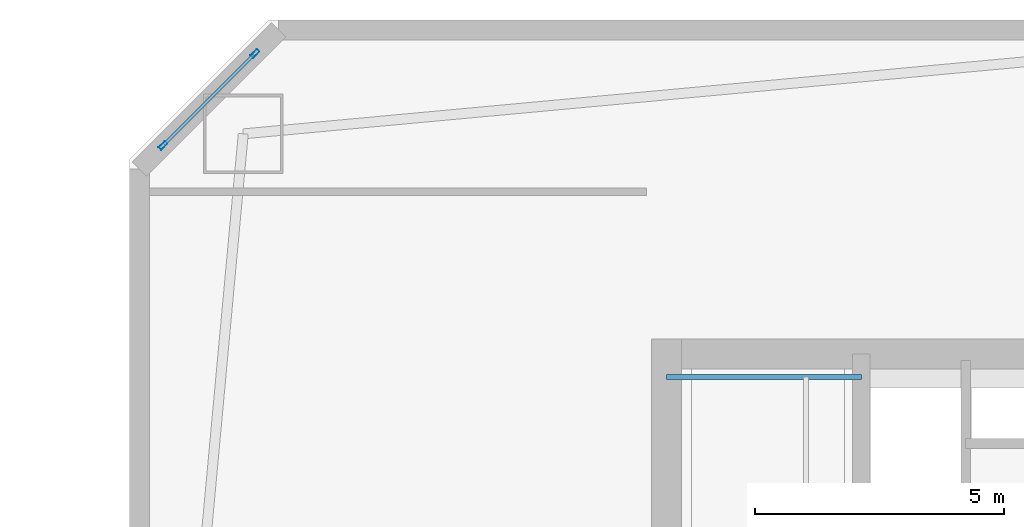
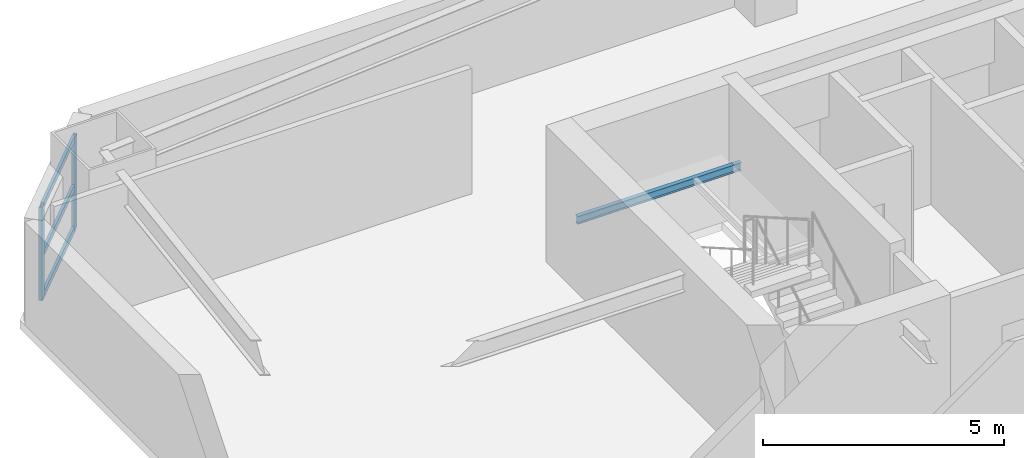
# One storey, part 6 of 22: 5 members, 1 beam, 1 element without a shape of its own.
"""IFC4 building model written with IfcOpenShell, lengths in metres."""

from ifc_helpers import new_model, si_unit, direction, frame, origin, origin_2d, place, context, subcontext, project, spatial, hollow_rectangle, i_section, extrude, material, layer, layer_set, material_profile, profile_set, type_object, element, aggregate, save


model = new_model("IFC4")

# Units and contexts
model_context = context("Model", 3, precision=1e-05, world=origin(), true_north=direction((0.0, 1.0)))
body_context = subcontext(model_context, "Body", "Model", "MODEL_VIEW")
ifc_project = project(units=[si_unit("LENGTHUNIT", "METRE"), si_unit("AREAUNIT", "SQUARE_METRE"), si_unit("VOLUMEUNIT", "CUBIC_METRE"), si_unit("PLANEANGLEUNIT", "RADIAN"), si_unit("MASSUNIT", "GRAM", prefix="KILO")], contexts=[model_context])

# Site, building, storey
site_placement = place(None, origin())
site = spatial("IfcSite", under=ifc_project, at=site_placement, CompositionType="ELEMENT")
building_placement = place(site_placement, origin())
building = spatial("IfcBuilding", under=site, at=building_placement, Name="Qiaolan Cultural Towers", CompositionType="ELEMENT")
storey_placement = place(building_placement, frame((0.0, 0.0, 146.050048828125)))
storey = spatial("IfcBuildingStorey", under=building, at=storey_placement, Name="L38", CompositionType="ELEMENT", Elevation=146.050048828125)

# Beam
ifc_material_1 = material(Name="Steel Q355B", Category="steel")
ifc_material_profile_1 = material_profile(ifc_material_1, i_section(OverallWidth=0.10009765625, OverallDepth=0.199951171875, WebThickness=0.005615234375, FlangeThickness=0.008056640625, at=origin_2d()), Name="HN200x100x5.5x8")
ifc_profile_set_1 = profile_set([ifc_material_profile_1], Name="Steel Q355B")
beam_type = type_object("IfcBeamType", Name="BM-STTRIM-200", PredefinedType="BEAM", material=ifc_profile_set_1)
beam_placement = place(storey_placement, frame((21.800048828125, 54.820068359375, 1.425048828125), z_axis=(1.0, 0.0, 0.0), x_axis=(0.0, 1.0, 0.0)))
element("IfcBeam", 1, at=beam_placement, inside=storey, type_object=beam_type, Name="L38 ST-W2 Stair Landing Support Beam 1-2", PredefinedType="BEAM", context=body_context, shape_type="SweptSolid", body=[
    extrude(i_section(OverallWidth=0.10009765625, OverallDepth=0.199951171875, WebThickness=0.005615234375, FlangeThickness=0.008056640625, at=origin_2d()), origin(), (0.0, 0.0, 1.0), 3.919921875),
])

# Curtain wall, members
ifc_material_2 = material(Name="Unitized Anodized Aluminium Curtain Wall System", Category="aluminium")
ifc_layer = layer(ifc_material_2, 0.199951171875)
ifc_layer_set = layer_set([ifc_layer], Name="Unitized Anodized Aluminium Curtain Wall System")
curtain_wall_type = type_object("IfcCurtainWallType", Name="CWS-03", PredefinedType="NOTDEFINED", material=ifc_layer_set)
curtain_wall_placement = place(storey_placement, origin())
curtain_wall = element("IfcCurtainWall", 2, at=curtain_wall_placement, inside=storey, type_object=curtain_wall_type, Name="L38 T1 Chamfer Wind-Corner Feature Curtain Wall 1", PredefinedType="NOTDEFINED")
ifc_material_3 = material(Name="Extruded Aluminium 6063-T6", Category="aluminium")
ifc_material_profile_2 = material_profile(ifc_material_3, hollow_rectangle(XDim=0.074951171875, YDim=0.179931640625, WallThickness=0.00390625, at=origin_2d()), Name="CWM-180x75x4")
ifc_profile_set_2 = profile_set([ifc_material_profile_2], Name="Extruded Aluminium 6063-T6")
member_type_1 = type_object("IfcMemberType", Name="CWS-03-MUL", PredefinedType="MULLION", material=ifc_profile_set_2)
member_1_placement = place(storey_placement, frame((11.674560546875, 59.474609375, 0.14990234375), z_axis=(0.0, 0.0, 1.0), x_axis=(-0.707106781187, 0.707106781187, 0.0)))
member_1 = element("IfcMember", 3, at=member_1_placement, type_object=member_type_1, Name="CW-3 mullion 1", PredefinedType="MULLION", context=body_context, shape_type="SweptSolid", body=[
    extrude(hollow_rectangle(XDim=0.074951171875, YDim=0.179931640625, WallThickness=0.00390625, at=origin_2d()), origin(), (0.0, 0.0, 1.0), 2.360107421875),
])
member_2_placement = place(storey_placement, frame((13.525390625, 61.325439453125, 0.14990234375), z_axis=(0.0, 0.0, 1.0), x_axis=(-0.707106781187, 0.707106781187, 0.0)))
member_2 = element("IfcMember", 4, at=member_2_placement, type_object=member_type_1, Name="CW-3 mullion 2", PredefinedType="MULLION", context=body_context, shape_type="SweptSolid", body=[
    extrude(hollow_rectangle(XDim=0.074951171875, YDim=0.179931640625, WallThickness=0.00390625, at=origin_2d()), origin(), (0.0, 0.0, 1.0), 2.360107421875),
])
ifc_material_4 = material(Name="Extruded Aluminium 6063-T6", Category="aluminium")
ifc_material_profile_3 = material_profile(ifc_material_4, hollow_rectangle(XDim=0.06494140625, YDim=0.14990234375, WallThickness=0.00390625, at=origin_2d()), Name="CWT-150x65x4")
ifc_profile_set_3 = profile_set([ifc_material_profile_3], Name="Extruded Aluminium 6063-T6")
member_type_2 = type_object("IfcMemberType", Name="CWS-03-TRN", PredefinedType="USERDEFINED", material=ifc_profile_set_3)
member_3_placement = place(storey_placement, frame((11.700927734375, 59.5009765625, 0.182373046875), z_axis=(0.707106781187, 0.707106781187, 0.0), x_axis=(-0.707106781187, 0.707106781187, 0.0)))
member_3 = element("IfcMember", 5, at=member_3_placement, type_object=member_type_2, Name="CW-3 transom 1.1", ObjectType="TRANSOM", PredefinedType="USERDEFINED", context=body_context, shape_type="SweptSolid", body=[
    extrude(hollow_rectangle(XDim=0.06494140625, YDim=0.14990234375, WallThickness=0.00390625, at=origin_2d()), origin(), (0.0, 0.0, 1.0), 2.54296875),
])
member_4_placement = place(storey_placement, frame((11.700927734375, 59.5009765625, 1.25), z_axis=(0.707106781187, 0.707106781187, 0.0), x_axis=(-0.707106781187, 0.707106781187, 0.0)))
member_4 = element("IfcMember", 6, at=member_4_placement, type_object=member_type_2, Name="CW-3 transom 1.2", ObjectType="TRANSOM", PredefinedType="USERDEFINED", context=body_context, shape_type="SweptSolid", body=[
    extrude(hollow_rectangle(XDim=0.06494140625, YDim=0.14990234375, WallThickness=0.00390625, at=origin_2d()), origin(), (0.0, 0.0, 1.0), 2.54296875),
])
member_5_placement = place(storey_placement, frame((11.700927734375, 59.5009765625, 2.4775390625), z_axis=(0.707106781187, 0.707106781187, 0.0), x_axis=(-0.707106781187, 0.707106781187, 0.0)))
member_5 = element("IfcMember", 7, at=member_5_placement, type_object=member_type_2, Name="CW-3 transom 1.3", ObjectType="TRANSOM", PredefinedType="USERDEFINED", context=body_context, shape_type="SweptSolid", body=[
    extrude(hollow_rectangle(XDim=0.06494140625, YDim=0.14990234375, WallThickness=0.00390625, at=origin_2d()), origin(), (0.0, 0.0, 1.0), 2.54296875),
])
aggregate(curtain_wall, [member_1, member_2, member_3, member_4, member_5])

save(model, "model.ifc")
